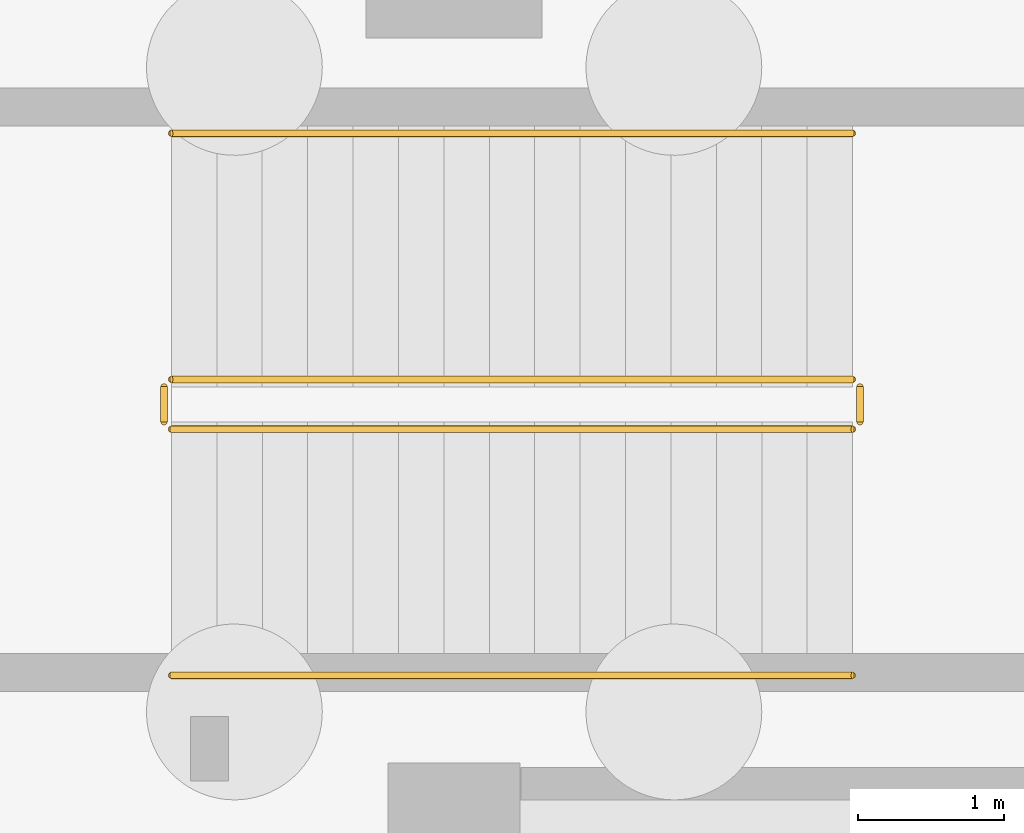
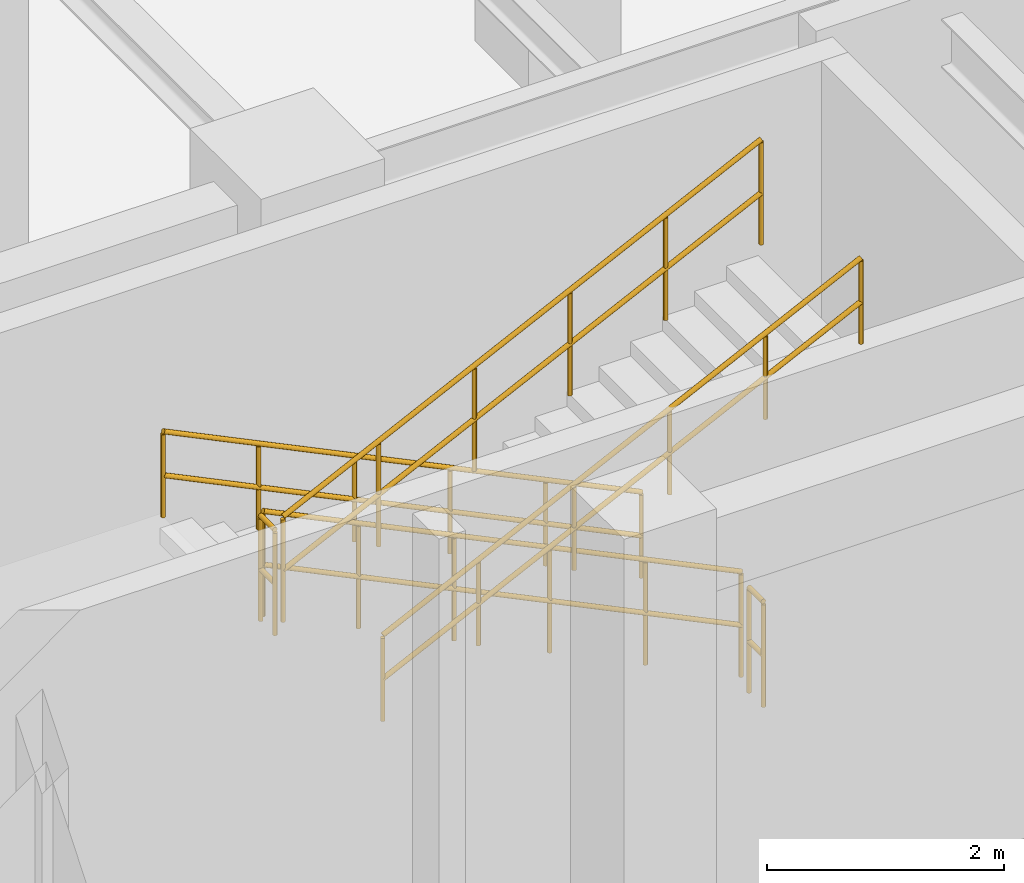
# One storey, part 51 of 54: 6 railings.
"""IFC4 building model written with IfcOpenShell, lengths in metres."""

from ifc_helpers import new_model, si_unit, direction, frame, origin, origin_2d, place, context, subcontext, project, spatial, circle, extrude, material, type_object, element, save


model = new_model("IFC4")

# Units and contexts
model_context = context("Model", 3, precision=1e-05, world=origin(), true_north=direction((0.0, 1.0)))
body_context = subcontext(model_context, "Body", "Model", "MODEL_VIEW")
ifc_project = project(units=[si_unit("LENGTHUNIT", "METRE"), si_unit("AREAUNIT", "SQUARE_METRE"), si_unit("VOLUMEUNIT", "CUBIC_METRE"), si_unit("PLANEANGLEUNIT", "RADIAN"), si_unit("MASSUNIT", "GRAM", prefix="KILO"), si_unit("THERMODYNAMICTEMPERATUREUNIT", "KELVIN"), si_unit("POWERUNIT", "WATT")], contexts=[model_context])

# Site, building, storey
site_placement = place(None, origin())
site = spatial("IfcSite", under=ifc_project, at=site_placement, CompositionType="ELEMENT")
building_placement = place(site_placement, origin())
building = spatial("IfcBuilding", under=site, at=building_placement, Name="Phaisarnlok Congress Hotel", CompositionType="ELEMENT")
storey_placement = place(building_placement, frame((0.0, 0.0, -4.800048828125)))
storey = spatial("IfcBuildingStorey", under=building, at=storey_placement, Name="B01", CompositionType="ELEMENT", Elevation=-4.800048828125)

# Railings
ifc_material_1 = material(Name="Painted Galvanised Steel S275", Category="steel")
railing_type_1 = type_object("IfcRailingType", Name="RLG-STR-GUARD", PredefinedType="BALUSTRADE", material=ifc_material_1)
railing_1_placement = place(storey_placement, frame((110.719970703125, 111.070068359375, 0.150146484375)))
element("IfcRailing", 1, at=railing_1_placement, inside=storey, type_object=railing_type_1, Name="B01 ST-07 stair guard 1", PredefinedType="BALUSTRADE", context=body_context, shape_type="SweptSolid", body=[
    extrude(circle(Radius=0.02392578125, at=origin_2d()), frame((0.0, 0.0, 1.076171875), z_axis=(-0.900155664878, 0.0, 0.435568340204), x_axis=(0.0, -1.0, 0.0)), (0.0, 0.0, 1.0), 5.165771484375),
    extrude(circle(Radius=0.02392578125, at=origin_2d()), frame((0.0, 0.0, 0.52587890625), z_axis=(-0.900155664878, 0.0, 0.435568340204), x_axis=(0.0, -1.0, 0.0)), (0.0, 0.0, 1.0), 5.165771484375),
    extrude(circle(Radius=0.02099609375, at=origin_2d()), origin(), (0.0, 0.0, 1.0), 1.052001953125),
    extrude(circle(Radius=0.02099609375, at=origin_2d()), frame((-0.929931640625, 0.0, 0.449951171875)), (0.0, 0.0, 1.0), 1.052001953125),
    extrude(circle(Radius=0.02099609375, at=origin_2d()), frame((-1.85986328125, 0.0, 0.89990234375)), (0.0, 0.0, 1.0), 1.052001953125),
    extrude(circle(Radius=0.02099609375, at=origin_2d()), frame((-2.7900390625, 0.0, 1.35009765625)), (0.0, 0.0, 1.0), 1.052001953125),
    extrude(circle(Radius=0.02099609375, at=origin_2d()), frame((-3.719970703125, 0.0, 1.800048828125)), (0.0, 0.0, 1.0), 1.052001953125),
    extrude(circle(Radius=0.02099609375, at=origin_2d()), frame((-4.64990234375, 0.0, 2.25)), (0.0, 0.0, 1.0), 1.052001953125),
])
railing_2_placement = place(storey_placement, frame((106.02001953125, 111.02001953125, 2.400146484375)))
element("IfcRailing", 2, at=railing_2_placement, inside=storey, type_object=railing_type_1, Name="B01 ST-07 stair guard 2", PredefinedType="BALUSTRADE", context=body_context, shape_type="SweptSolid", body=[
    extrude(circle(Radius=0.02392578125, at=origin_2d()), frame((0.0, 0.0, 1.076171875), z_axis=(0.0, -1.0, 0.0), x_axis=(1.0, 0.0, 0.0)), (0.0, 0.0, 1.0), 0.239990234375),
    extrude(circle(Radius=0.02392578125, at=origin_2d()), frame((0.0, 0.0, 0.52587890625), z_axis=(0.0, -1.0, 0.0), x_axis=(1.0, 0.0, 0.0)), (0.0, 0.0, 1.0), 0.239990234375),
    extrude(circle(Radius=0.02099609375, at=origin_2d()), origin(), (0.0, 0.0, 1.0), 1.052001953125),
    extrude(circle(Radius=0.02099609375, at=origin_2d()), frame((0.0, -0.239990234375, 0.0)), (0.0, 0.0, 1.0), 1.052001953125),
])
railing_3_placement = place(storey_placement, frame((106.070068359375, 110.72998046875, 2.550048828125)))
element("IfcRailing", 3, at=railing_3_placement, inside=storey, type_object=railing_type_1, Name="B01 ST-07 stair guard 3", PredefinedType="BALUSTRADE", context=body_context, shape_type="SweptSolid", body=[
    extrude(circle(Radius=0.02392578125, at=origin_2d()), frame((0.0, 0.0, 1.076171875), z_axis=(0.900155664878, 0.0, 0.435568340204), x_axis=(0.0, 1.0, 0.0)), (0.0, 0.0, 1.0), 5.165771484375),
    extrude(circle(Radius=0.02392578125, at=origin_2d()), frame((0.0, 0.0, 0.52587890625), z_axis=(0.900155664878, 0.0, 0.435568340204), x_axis=(0.0, 1.0, 0.0)), (0.0, 0.0, 1.0), 5.165771484375),
    extrude(circle(Radius=0.02099609375, at=origin_2d()), origin(), (0.0, 0.0, 1.0), 1.052001953125),
    extrude(circle(Radius=0.02099609375, at=origin_2d()), frame((0.929931640625, 0.0, 0.449951171875)), (0.0, 0.0, 1.0), 1.052001953125),
    extrude(circle(Radius=0.02099609375, at=origin_2d()), frame((1.85986328125, 0.0, 0.89990234375)), (0.0, 0.0, 1.0), 1.052001953125),
    extrude(circle(Radius=0.02099609375, at=origin_2d()), frame((2.7900390625, 0.0, 1.35009765625)), (0.0, 0.0, 1.0), 1.052001953125),
    extrude(circle(Radius=0.02099609375, at=origin_2d()), frame((3.719970703125, 0.0, 1.800048828125)), (0.0, 0.0, 1.0), 1.052001953125),
    extrude(circle(Radius=0.02099609375, at=origin_2d()), frame((4.64990234375, 0.0, 2.25)), (0.0, 0.0, 1.0), 1.052001953125),
])
railing_4_placement = place(storey_placement, frame((110.77001953125, 111.02001953125, 0.0)))
element("IfcRailing", 4, at=railing_4_placement, inside=storey, type_object=railing_type_1, Name="B01 ST-07 stair guard 4", PredefinedType="BALUSTRADE", context=body_context, shape_type="SweptSolid", body=[
    extrude(circle(Radius=0.02392578125, at=origin_2d()), frame((0.0, 0.0, 1.076171875), z_axis=(0.0, -1.0, 0.0), x_axis=(1.0, 0.0, 0.0)), (0.0, 0.0, 1.0), 0.239990234375),
    extrude(circle(Radius=0.02392578125, at=origin_2d()), frame((0.0, 0.0, 0.52587890625), z_axis=(0.0, -1.0, 0.0), x_axis=(1.0, 0.0, 0.0)), (0.0, 0.0, 1.0), 0.239990234375),
    extrude(circle(Radius=0.02099609375, at=origin_2d()), origin(), (0.0, 0.0, 1.0), 1.052001953125),
    extrude(circle(Radius=0.02099609375, at=origin_2d()), frame((0.0, -0.239990234375, 0.0)), (0.0, 0.0, 1.0), 1.052001953125),
])
ifc_material_2 = material(Name="Brushed Stainless Steel Grade 304", Category="steel")
railing_type_2 = type_object("IfcRailingType", Name="RLG-STR-HRAIL", PredefinedType="HANDRAIL", material=ifc_material_2)
railing_5_placement = place(storey_placement, frame((110.719970703125, 112.75, 0.150146484375)))
element("IfcRailing", 5, at=railing_5_placement, inside=storey, type_object=railing_type_2, Name="B01 ST-07 stair handrail 1", PredefinedType="HANDRAIL", context=body_context, shape_type="SweptSolid", body=[
    extrude(circle(Radius=0.02392578125, at=origin_2d()), frame((0.0, 0.0, 0.8759765625), z_axis=(-0.900155664878, 0.0, 0.435568340204), x_axis=(0.0, -1.0, 0.0)), (0.0, 0.0, 1.0), 5.165771484375),
    extrude(circle(Radius=0.02392578125, at=origin_2d()), frame((0.0, 0.0, 0.42578125), z_axis=(-0.900155664878, 0.0, 0.435568340204), x_axis=(0.0, -1.0, 0.0)), (0.0, 0.0, 1.0), 5.165771484375),
    extrude(circle(Radius=0.02099609375, at=origin_2d()), origin(), (0.0, 0.0, 1.0), 0.851806640625),
    extrude(circle(Radius=0.02099609375, at=origin_2d()), frame((-0.929931640625, 0.0, 0.449951171875)), (0.0, 0.0, 1.0), 0.851806640625),
    extrude(circle(Radius=0.02099609375, at=origin_2d()), frame((-1.85986328125, 0.0, 0.89990234375)), (0.0, 0.0, 1.0), 0.851806640625),
    extrude(circle(Radius=0.02099609375, at=origin_2d()), frame((-2.7900390625, 0.0, 1.35009765625)), (0.0, 0.0, 1.0), 0.851806640625),
    extrude(circle(Radius=0.02099609375, at=origin_2d()), frame((-3.719970703125, 0.0, 1.800048828125)), (0.0, 0.0, 1.0), 0.851806640625),
    extrude(circle(Radius=0.02099609375, at=origin_2d()), frame((-4.64990234375, 0.0, 2.25)), (0.0, 0.0, 1.0), 0.851806640625),
])
railing_6_placement = place(storey_placement, frame((106.070068359375, 109.050048828125, 2.550048828125)))
element("IfcRailing", 6, at=railing_6_placement, inside=storey, type_object=railing_type_2, Name="B01 ST-07 stair handrail 2", PredefinedType="HANDRAIL", context=body_context, shape_type="SweptSolid", body=[
    extrude(circle(Radius=0.02392578125, at=origin_2d()), frame((0.0, 0.0, 0.8759765625), z_axis=(0.900155664878, 0.0, 0.435568340204), x_axis=(0.0, 1.0, 0.0)), (0.0, 0.0, 1.0), 5.165771484375),
    extrude(circle(Radius=0.02392578125, at=origin_2d()), frame((0.0, 0.0, 0.42578125), z_axis=(0.900155664878, 0.0, 0.435568340204), x_axis=(0.0, 1.0, 0.0)), (0.0, 0.0, 1.0), 5.165771484375),
    extrude(circle(Radius=0.02099609375, at=origin_2d()), origin(), (0.0, 0.0, 1.0), 0.851806640625),
    extrude(circle(Radius=0.02099609375, at=origin_2d()), frame((0.929931640625, 0.0, 0.449951171875)), (0.0, 0.0, 1.0), 0.851806640625),
    extrude(circle(Radius=0.02099609375, at=origin_2d()), frame((1.85986328125, 0.0, 0.89990234375)), (0.0, 0.0, 1.0), 0.851806640625),
    extrude(circle(Radius=0.02099609375, at=origin_2d()), frame((2.7900390625, 0.0, 1.35009765625)), (0.0, 0.0, 1.0), 0.851806640625),
    extrude(circle(Radius=0.02099609375, at=origin_2d()), frame((3.719970703125, 0.0, 1.800048828125)), (0.0, 0.0, 1.0), 0.851806640625),
    extrude(circle(Radius=0.02099609375, at=origin_2d()), frame((4.64990234375, 0.0, 2.25)), (0.0, 0.0, 1.0), 0.851806640625),
])

save(model, "model.ifc")
